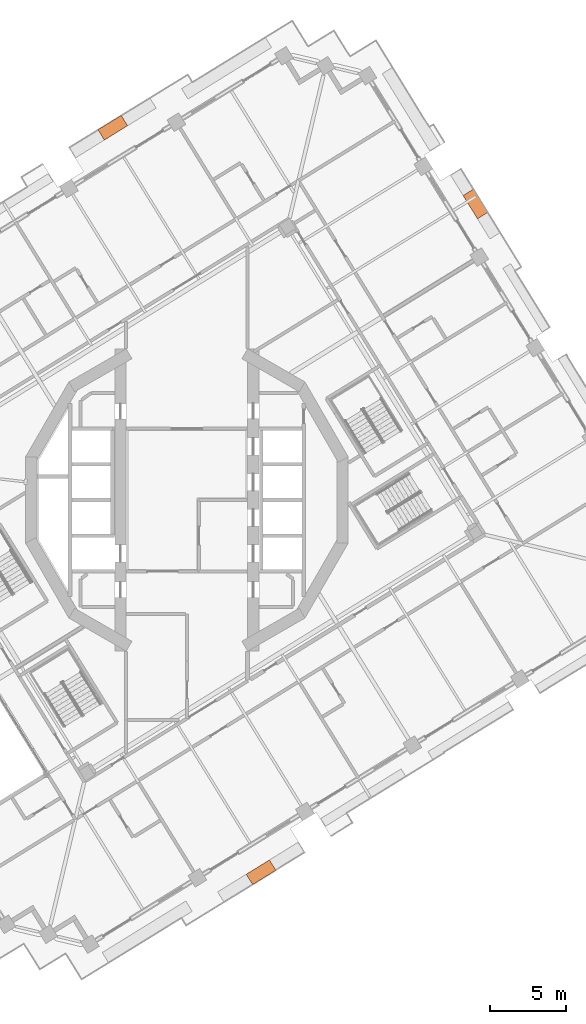
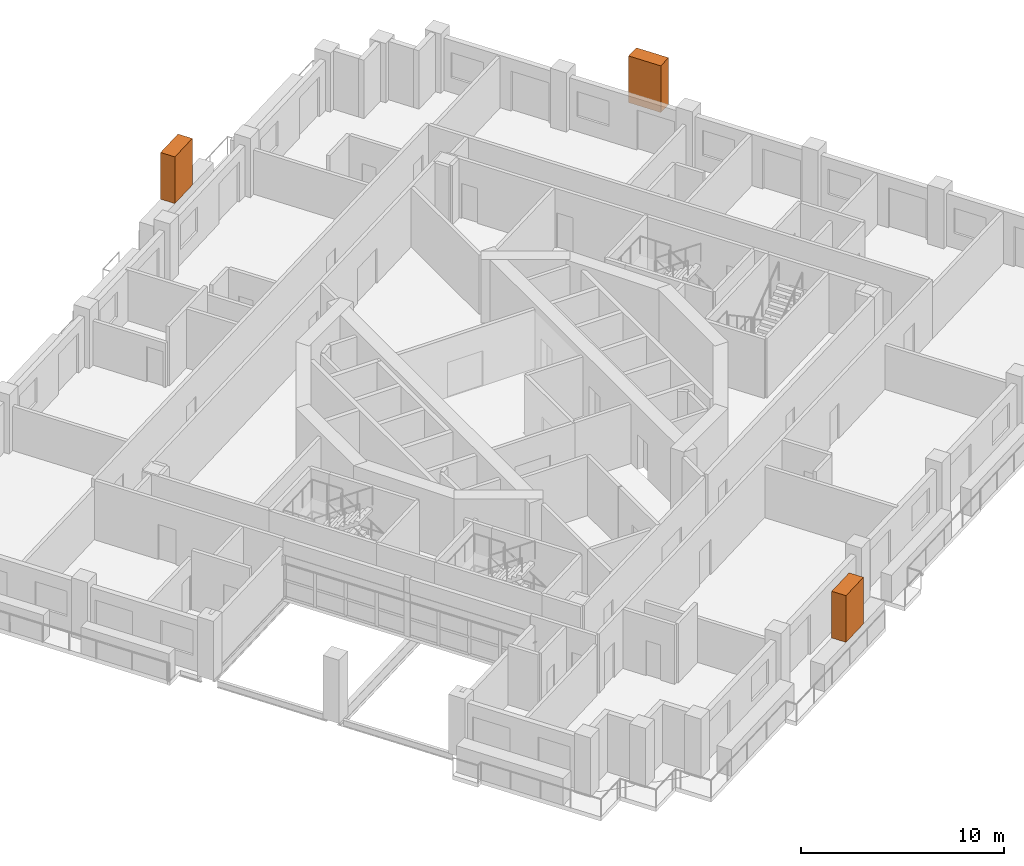
# One storey, part 22 of 22: 3 proxies.
"""IFC4 building model written with IfcOpenShell, lengths in metres."""

from ifc_helpers import new_model, si_unit, direction, frame, origin, origin_2d, place, context, subcontext, project, spatial, rectangle, extrude, element, save


model = new_model("IFC4")

# Units and contexts
model_context = context("Model", 3, precision=1e-05, world=origin(), true_north=direction((0.0, 1.0)))
body_context = subcontext(model_context, "Body", "Model", "MODEL_VIEW")
ifc_project = project(units=[si_unit("LENGTHUNIT", "METRE"), si_unit("AREAUNIT", "SQUARE_METRE"), si_unit("VOLUMEUNIT", "CUBIC_METRE"), si_unit("PLANEANGLEUNIT", "RADIAN"), si_unit("MASSUNIT", "GRAM", prefix="KILO")], contexts=[model_context])

# Site, building, storey
site_placement = place(None, origin())
site = spatial("IfcSite", under=ifc_project, at=site_placement, CompositionType="ELEMENT")
building_placement = place(site_placement, origin())
building = spatial("IfcBuilding", under=site, at=building_placement, Name="Cantera Rosa Tower", CompositionType="ELEMENT")
storey_placement = place(building_placement, frame((0.0, 0.0, 162.800048828125)))
storey = spatial("IfcBuildingStorey", under=building, at=storey_placement, Name="L35", CompositionType="ELEMENT", Elevation=162.800048828125)

# Proxies
for number, where, z_axis, x_axis, name in (
    (1, (19.012451171875, 19.505126953125, 1.60009765625), (0.0, 0.0, 1.0), (-0.52497658034, 0.851116672434, 0.0), "TREE L35-04"),
    (2, (-4.884033203125, 24.528564453125, 1.60009765625), (0.0, 0.0, 1.0), (-0.851116672434, -0.52497658034, 0.0), "TREE L35-07"),
    (3, (4.884033203125, -24.528564453125, 1.60009765625), (0.0, 0.0, 1.0), (0.851116672434, 0.52497658034, 0.0), "TREE L35-17"),
):
    element("IfcBuildingElementProxy", number, at=place(storey_placement, frame(where, z_axis=z_axis, x_axis=x_axis)), inside=storey, Name=name, ObjectType="TREE", PredefinedType="USERDEFINED", context=body_context, shape_type="SweptSolid", body=[
        extrude(rectangle(XDim=1.800048828125, YDim=0.800048828125, at=origin_2d()), origin(), (0.0, 0.0, 1.0), 2.800048828125),
    ])

save(model, "model.ifc")
